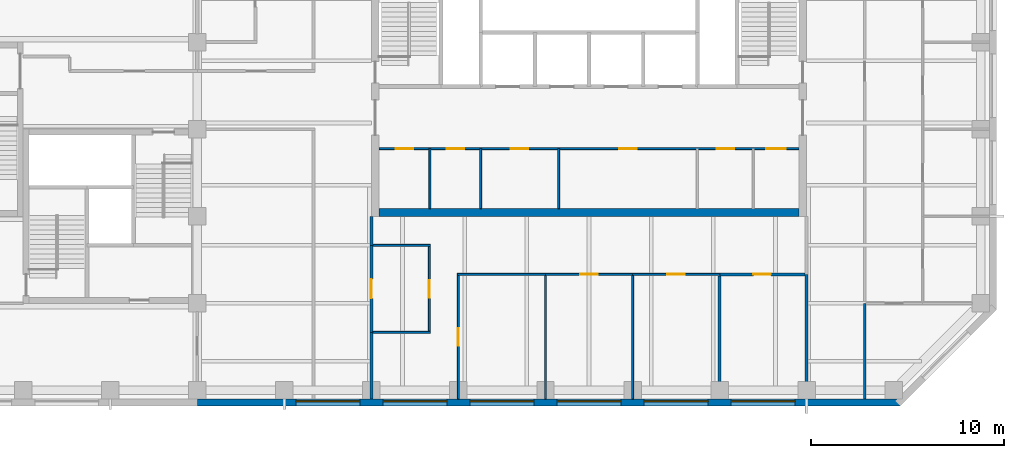
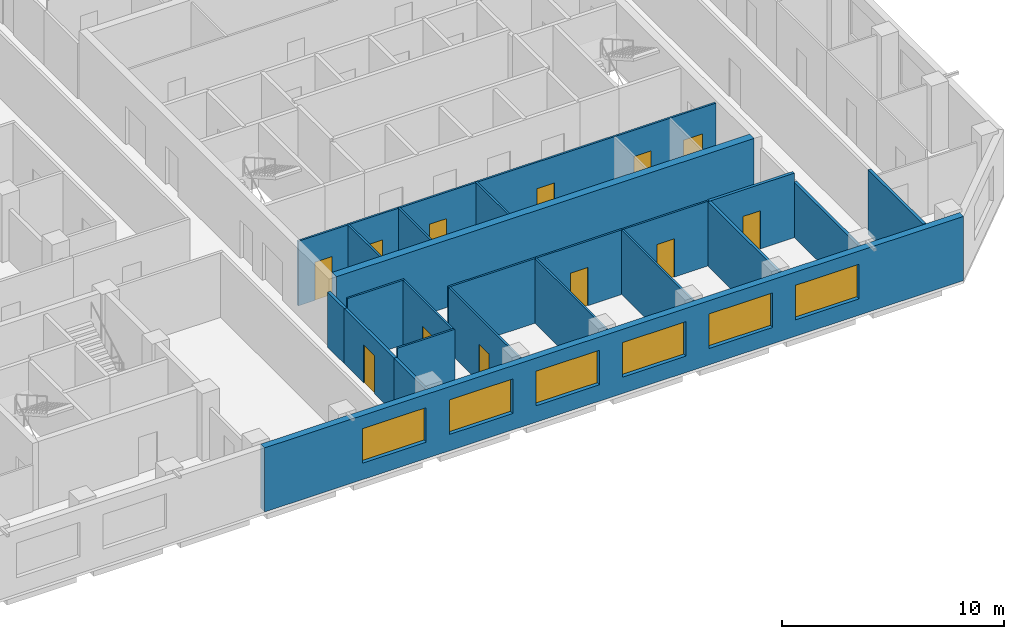
# One storey, part 4 of 9: 22 walls, 12 doors, 6 windows, 18 openings.
"""IFC4 building model written with IfcOpenShell, lengths in metres."""

from ifc_helpers import new_model, si_unit, direction, frame, frame_2d, origin, place, context, subcontext, project, spatial, rectangle, extrude, material, layer, layer_set, constituent, constituent_set, type_object, element, fill, save


model = new_model("IFC4")

# Units and contexts
model_context = context("Model", 3, precision=1e-05, world=origin(), true_north=direction((0.0, 1.0)))
body_context = subcontext(model_context, "Body", "Model", "MODEL_VIEW")
ifc_project = project(units=[si_unit("LENGTHUNIT", "METRE"), si_unit("AREAUNIT", "SQUARE_METRE"), si_unit("VOLUMEUNIT", "CUBIC_METRE"), si_unit("PLANEANGLEUNIT", "RADIAN"), si_unit("MASSUNIT", "GRAM", prefix="KILO")], contexts=[model_context])

# Site, building, storey
site_placement = place(None, origin())
site = spatial("IfcSite", under=ifc_project, at=site_placement, CompositionType="ELEMENT")
building_placement = place(site_placement, origin())
building = spatial("IfcBuilding", under=site, at=building_placement, Name="Quoin Convention Tower", CompositionType="ELEMENT")
storey_placement = place(building_placement, frame((0.0, 0.0, 199.5)))
storey = spatial("IfcBuildingStorey", under=building, at=storey_placement, Name="L52", CompositionType="ELEMENT", Elevation=199.5)

# Wall, opening, door
ifc_material_1 = material(Name="Plasterboard")
ifc_layer_1 = layer(ifc_material_1, 0.012451171875, Name="Finish")
ifc_material_2 = material(Name="Steel stud framing", Category="steel")
ifc_layer_2 = layer(ifc_material_2, 0.125, Name="Structure")
ifc_layer_3 = layer(ifc_material_1, 0.012451171875, Name="Finish")
ifc_layer_set_1 = layer_set([ifc_layer_1, ifc_layer_2, ifc_layer_3], Name="Steel stud framing")
wall_type_1 = type_object("IfcWallType", Name="Acoustic partition 150", PredefinedType="PARTITIONING", material=ifc_layer_set_1)
wall_1_placement = place(storey_placement, frame((63.0, 46.5, 0.0), z_axis=(0.0, 0.0, 1.0), x_axis=(1.0, 0.0, 0.0)))
wall_1 = element("IfcWall", 1, at=wall_1_placement, inside=storey, type_object=wall_type_1, Name="pw-L52-011", PredefinedType="PARTITIONING", context=body_context, shape_type="SweptSolid", body=[
    extrude(rectangle(XDim=4.425048828125, YDim=0.14990234375, at=frame_2d((2.21240234375, 0.0))), origin(), (0.0, 0.0, 1.0), 3.550048828125),
])
opening_1_placement = place(wall_1_placement, frame((1.75, 0.0, 0.0)))
opening_1 = element("IfcOpeningElement", 2, at=opening_1_placement, cuts=wall_1, Name="Opening DOH8-04", PredefinedType="OPENING", context=body_context, shape_type="SweptSolid", body=[
    extrude(rectangle(XDim=0.89990234375, YDim=2.10009765625, at=frame_2d((0.449951171875, 1.050048828125))), frame((0.0, 0.0849609375, 0.0), z_axis=(0.0, -1.0, 0.0), x_axis=(1.0, 0.0, 0.0)), (0.0, 0.0, 1.0), 0.169921875),
])
ifc_material_3 = material(Name="Steel door leaf", Category="steel")
door_type_1 = type_object("IfcDoorType", Name="Office door 900 x 2100", OperationType="SINGLE_SWING_RIGHT", PredefinedType="DOOR", material=ifc_material_3)
door_1_placement = place(opening_1_placement, origin())
door_1 = element("IfcDoor", 3, at=door_1_placement, inside=storey, type_object=door_type_1, Name="dr-L52-23", OperationType="SINGLE_SWING_RIGHT", OverallHeight=2.10009765625, OverallWidth=0.89990234375, PredefinedType="DOOR", context=body_context, shape_type="SweptSolid", body=[
    extrude(rectangle(XDim=0.89990234375, YDim=2.10009765625, at=frame_2d((0.449951171875, 1.050048828125))), frame((0.0, 0.02490234375, 0.0), z_axis=(0.0, -1.0, 0.0), x_axis=(1.0, 0.0, 0.0)), (0.0, 0.0, 1.0), 0.050048828125),
])
fill(opening_1, door_1)

# Wall
wall_2_placement = place(storey_placement, frame((63.0, 40.050048828125, 0.0), z_axis=(0.0, 0.0, 1.0), x_axis=(0.0, 1.0, 0.0)))
element("IfcWall", 4, at=wall_2_placement, inside=storey, type_object=wall_type_1, Name="pw-L52-043", PredefinedType="PARTITIONING", context=body_context, shape_type="SweptSolid", body=[
    extrude(rectangle(XDim=6.375, YDim=0.14990234375, at=frame_2d((3.1875, 0.0))), origin(), (0.0, 0.0, 1.0), 3.550048828125),
])

# Wall, openings, windows
ifc_material_4 = material(Name="Brick masonry", Category="masonry")
ifc_layer_4 = layer(ifc_material_4, 0.35009765625)
ifc_layer_set_2 = layer_set([ifc_layer_4], Name="Brick masonry")
wall_type_2 = type_object("IfcWallType", Name="Brick facade wall", PredefinedType="STANDARD", material=ifc_layer_set_2)
wall_3_placement = place(storey_placement, frame((36.0, 39.875, 0.0), z_axis=(0.0, 0.0, 1.0), x_axis=(1.0, 0.0, 0.0)))
wall_3 = element("IfcWall", 5, at=wall_3_placement, inside=storey, type_object=wall_type_2, Name="fw-L52-36000_40500", PredefinedType="STANDARD", context=body_context, shape_type="SweptSolid", body=[
    extrude(rectangle(XDim=36.331298828125, YDim=0.35009765625, at=frame_2d((18.16552734375, 0.0))), origin(), (0.0, 0.0, 1.0), 3.52490234375),
])
opening_2_placement = place(wall_3_placement, frame((5.10009765625, 0.0, 0.89990234375)))
opening_2 = element("IfcOpeningElement", 6, at=opening_2_placement, cuts=wall_3, Name="Opening W-02", PredefinedType="OPENING", context=body_context, shape_type="SweptSolid", body=[
    extrude(rectangle(XDim=3.300048828125, YDim=1.89990234375, at=frame_2d((1.64990234375, 0.949951171875))), frame((0.0, 0.18505859375, 0.0), z_axis=(0.0, -1.0, 0.0), x_axis=(1.0, 0.0, 0.0)), (0.0, 0.0, 1.0), 0.3701171875),
])
opening_3_placement = place(wall_3_placement, frame((9.60009765625, 0.0, 0.89990234375)))
opening_3 = element("IfcOpeningElement", 7, at=opening_3_placement, cuts=wall_3, Name="Opening W-02", PredefinedType="OPENING", context=body_context, shape_type="SweptSolid", body=[
    extrude(rectangle(XDim=3.300048828125, YDim=1.89990234375, at=frame_2d((1.64990234375, 0.949951171875))), frame((0.0, 0.18505859375, 0.0), z_axis=(0.0, -1.0, 0.0), x_axis=(1.0, 0.0, 0.0)), (0.0, 0.0, 1.0), 0.3701171875),
])
opening_4_placement = place(wall_3_placement, frame((14.10009765625, 0.0, 0.89990234375)))
opening_4 = element("IfcOpeningElement", 8, at=opening_4_placement, cuts=wall_3, Name="Opening W-02", PredefinedType="OPENING", context=body_context, shape_type="SweptSolid", body=[
    extrude(rectangle(XDim=3.300048828125, YDim=1.89990234375, at=frame_2d((1.64990234375, 0.949951171875))), frame((0.0, 0.18505859375, 0.0), z_axis=(0.0, -1.0, 0.0), x_axis=(1.0, 0.0, 0.0)), (0.0, 0.0, 1.0), 0.3701171875),
])
opening_5_placement = place(wall_3_placement, frame((18.60009765625, 0.0, 0.89990234375)))
opening_5 = element("IfcOpeningElement", 9, at=opening_5_placement, cuts=wall_3, Name="Opening W-02", PredefinedType="OPENING", context=body_context, shape_type="SweptSolid", body=[
    extrude(rectangle(XDim=3.300048828125, YDim=1.89990234375, at=frame_2d((1.64990234375, 0.949951171875))), frame((0.0, 0.18505859375, 0.0), z_axis=(0.0, -1.0, 0.0), x_axis=(1.0, 0.0, 0.0)), (0.0, 0.0, 1.0), 0.3701171875),
])
opening_6_placement = place(wall_3_placement, frame((23.10009765625, 0.0, 0.89990234375)))
opening_6 = element("IfcOpeningElement", 10, at=opening_6_placement, cuts=wall_3, Name="Opening W-02", PredefinedType="OPENING", context=body_context, shape_type="SweptSolid", body=[
    extrude(rectangle(XDim=3.300048828125, YDim=1.89990234375, at=frame_2d((1.64990234375, 0.949951171875))), frame((0.0, 0.18505859375, 0.0), z_axis=(0.0, -1.0, 0.0), x_axis=(1.0, 0.0, 0.0)), (0.0, 0.0, 1.0), 0.3701171875),
])
opening_7_placement = place(wall_3_placement, frame((27.60009765625, 0.0, 0.89990234375)))
opening_7 = element("IfcOpeningElement", 11, at=opening_7_placement, cuts=wall_3, Name="Opening W-02", PredefinedType="OPENING", context=body_context, shape_type="SweptSolid", body=[
    extrude(rectangle(XDim=3.300048828125, YDim=1.89990234375, at=frame_2d((1.64990234375, 0.949951171875))), frame((0.0, 0.18505859375, 0.0), z_axis=(0.0, -1.0, 0.0), x_axis=(1.0, 0.0, 0.0)), (0.0, 0.0, 1.0), 0.3701171875),
])
ifc_material_5 = material(Name="Aluminium", Category="aluminium")
ifc_constituent_1 = constituent(ifc_material_5, Name="Frame")
ifc_material_6 = material(Name="Insulated glass", Category="glass")
ifc_constituent_2 = constituent(ifc_material_6, Name="Glazing")
ifc_constituent_set = constituent_set(constituents=[ifc_constituent_1, ifc_constituent_2], Name="Aluminium")
window_type = type_object("IfcWindowType", Name="Office window", PartitioningType="DOUBLE_PANEL_VERTICAL", PredefinedType="WINDOW", material=ifc_constituent_set)
window_1_placement = place(opening_2_placement, origin())
window_1 = element("IfcWindow", 12, at=window_1_placement, inside=storey, type_object=window_type, Name="win-L52-42750_39875", OverallHeight=1.89990234375, OverallWidth=3.300048828125, PartitioningType="SINGLE_PANEL", PredefinedType="WINDOW", context=body_context, shape_type="SweptSolid", body=[
    extrude(rectangle(XDim=3.300048828125, YDim=1.89990234375, at=frame_2d((1.64990234375, 0.949951171875))), frame((0.0, 0.0849609375, 0.0), z_axis=(0.0, -1.0, 0.0), x_axis=(1.0, 0.0, 0.0)), (0.0, 0.0, 1.0), 0.06005859375),
])
fill(opening_2, window_1)
window_2_placement = place(opening_3_placement, origin())
window_2 = element("IfcWindow", 13, at=window_2_placement, inside=storey, type_object=window_type, Name="win-L52-47250_39875", OverallHeight=1.89990234375, OverallWidth=3.300048828125, PartitioningType="SINGLE_PANEL", PredefinedType="WINDOW", context=body_context, shape_type="SweptSolid", body=[
    extrude(rectangle(XDim=3.300048828125, YDim=1.89990234375, at=frame_2d((1.64990234375, 0.949951171875))), frame((0.0, 0.0849609375, 0.0), z_axis=(0.0, -1.0, 0.0), x_axis=(1.0, 0.0, 0.0)), (0.0, 0.0, 1.0), 0.06005859375),
])
fill(opening_3, window_2)
window_3_placement = place(opening_4_placement, origin())
window_3 = element("IfcWindow", 14, at=window_3_placement, inside=storey, type_object=window_type, Name="win-L52-51750_39875", OverallHeight=1.89990234375, OverallWidth=3.300048828125, PartitioningType="SINGLE_PANEL", PredefinedType="WINDOW", context=body_context, shape_type="SweptSolid", body=[
    extrude(rectangle(XDim=3.300048828125, YDim=1.89990234375, at=frame_2d((1.64990234375, 0.949951171875))), frame((0.0, 0.0849609375, 0.0), z_axis=(0.0, -1.0, 0.0), x_axis=(1.0, 0.0, 0.0)), (0.0, 0.0, 1.0), 0.06005859375),
])
fill(opening_4, window_3)
window_4_placement = place(opening_5_placement, origin())
window_4 = element("IfcWindow", 15, at=window_4_placement, inside=storey, type_object=window_type, Name="win-L52-56250_39875", OverallHeight=1.89990234375, OverallWidth=3.300048828125, PartitioningType="SINGLE_PANEL", PredefinedType="WINDOW", context=body_context, shape_type="SweptSolid", body=[
    extrude(rectangle(XDim=3.300048828125, YDim=1.89990234375, at=frame_2d((1.64990234375, 0.949951171875))), frame((0.0, 0.0849609375, 0.0), z_axis=(0.0, -1.0, 0.0), x_axis=(1.0, 0.0, 0.0)), (0.0, 0.0, 1.0), 0.06005859375),
])
fill(opening_5, window_4)
window_5_placement = place(opening_6_placement, origin())
window_5 = element("IfcWindow", 16, at=window_5_placement, inside=storey, type_object=window_type, Name="win-L52-60750_39875", OverallHeight=1.89990234375, OverallWidth=3.300048828125, PartitioningType="SINGLE_PANEL", PredefinedType="WINDOW", context=body_context, shape_type="SweptSolid", body=[
    extrude(rectangle(XDim=3.300048828125, YDim=1.89990234375, at=frame_2d((1.64990234375, 0.949951171875))), frame((0.0, 0.0849609375, 0.0), z_axis=(0.0, -1.0, 0.0), x_axis=(1.0, 0.0, 0.0)), (0.0, 0.0, 1.0), 0.06005859375),
])
fill(opening_6, window_5)
window_6_placement = place(opening_7_placement, origin())
window_6 = element("IfcWindow", 17, at=window_6_placement, inside=storey, type_object=window_type, Name="win-L52-65250_39875", OverallHeight=1.89990234375, OverallWidth=3.300048828125, PartitioningType="SINGLE_PANEL", PredefinedType="WINDOW", context=body_context, shape_type="SweptSolid", body=[
    extrude(rectangle(XDim=3.300048828125, YDim=1.89990234375, at=frame_2d((1.64990234375, 0.949951171875))), frame((0.0, 0.0849609375, 0.0), z_axis=(0.0, -1.0, 0.0), x_axis=(1.0, 0.0, 0.0)), (0.0, 0.0, 1.0), 0.06005859375),
])
fill(opening_7, window_6)

# Wall, openings, doors
ifc_layer_5 = layer(ifc_material_1, 0.012451171875, Name="Finish")
ifc_layer_6 = layer(ifc_material_2, 0.074951171875, Name="Structure")
ifc_layer_7 = layer(ifc_material_1, 0.012451171875, Name="Finish")
ifc_layer_set_3 = layer_set([ifc_layer_5, ifc_layer_6, ifc_layer_7], Name="Steel stud framing")
wall_type_3 = type_object("IfcWallType", Name="Core partition wall", PredefinedType="PARTITIONING", material=ifc_layer_set_3)
wall_4_placement = place(storey_placement, frame((45.39990234375, 53.0, 0.0), z_axis=(0.0, 0.0, 1.0), x_axis=(1.0, 0.0, 0.0)))
wall_4 = element("IfcWall", 18, at=wall_4_placement, inside=storey, type_object=wall_type_3, Name="cr-C1-L52-h3500_400", PredefinedType="PARTITIONING", context=body_context, shape_type="SweptSolid", body=[
    extrude(rectangle(XDim=21.7001953125, YDim=0.10009765625, at=frame_2d((10.85009765625, 0.0))), origin(), (0.0, 0.0, 1.0), 3.550048828125),
])
opening_8_placement = place(wall_4_placement, frame((20.018798828125, 0.0, 0.0)))
opening_8 = element("IfcOpeningElement", 19, at=opening_8_placement, cuts=wall_4, Name="Opening DCV0-46", PredefinedType="OPENING", context=body_context, shape_type="SweptSolid", body=[
    extrude(rectangle(XDim=1.0, YDim=2.10009765625, at=frame_2d((0.5, 1.050048828125))), frame((0.0, 0.06005859375, 0.0), z_axis=(0.0, -1.0, 0.0), x_axis=(1.0, 0.0, 0.0)), (0.0, 0.0, 1.0), 0.1201171875),
])
opening_9_placement = place(wall_4_placement, frame((17.44384765625, 0.0, 0.0)))
opening_9 = element("IfcOpeningElement", 20, at=opening_9_placement, cuts=wall_4, Name="Opening DCV0-45", PredefinedType="OPENING", context=body_context, shape_type="SweptSolid", body=[
    extrude(rectangle(XDim=0.89990234375, YDim=2.10009765625, at=frame_2d((0.449951171875, 1.050048828125))), frame((0.0, 0.06005859375, 0.0), z_axis=(0.0, -1.0, 0.0), x_axis=(1.0, 0.0, 0.0)), (0.0, 0.0, 1.0), 0.1201171875),
])
opening_10_placement = place(wall_4_placement, frame((0.862548828125, 0.0, 0.0)))
opening_10 = element("IfcOpeningElement", 21, at=opening_10_placement, cuts=wall_4, Name="Opening DCV0-38", PredefinedType="OPENING", context=body_context, shape_type="SweptSolid", body=[
    extrude(rectangle(XDim=0.89990234375, YDim=2.10009765625, at=frame_2d((0.449951171875, 1.050048828125))), frame((0.0, 0.06005859375, 0.0), z_axis=(0.0, -1.0, 0.0), x_axis=(1.0, 0.0, 0.0)), (0.0, 0.0, 1.0), 0.1201171875),
])
opening_11_placement = place(wall_4_placement, frame((3.487548828125, 0.0, 0.0)))
opening_11 = element("IfcOpeningElement", 22, at=opening_11_placement, cuts=wall_4, Name="Opening DCV0-39", PredefinedType="OPENING", context=body_context, shape_type="SweptSolid", body=[
    extrude(rectangle(XDim=0.89990234375, YDim=2.10009765625, at=frame_2d((0.449951171875, 1.050048828125))), frame((0.0, 0.06005859375, 0.0), z_axis=(0.0, -1.0, 0.0), x_axis=(1.0, 0.0, 0.0)), (0.0, 0.0, 1.0), 0.1201171875),
])
opening_12_placement = place(wall_4_placement, frame((6.81591796875, 0.0, 0.0)))
opening_12 = element("IfcOpeningElement", 23, at=opening_12_placement, cuts=wall_4, Name="Opening DCV0-41", PredefinedType="OPENING", context=body_context, shape_type="SweptSolid", body=[
    extrude(rectangle(XDim=0.89990234375, YDim=2.10009765625, at=frame_2d((0.449951171875, 1.050048828125))), frame((0.0, 0.06005859375, 0.0), z_axis=(0.0, -1.0, 0.0), x_axis=(1.0, 0.0, 0.0)), (0.0, 0.0, 1.0), 0.1201171875),
])
opening_13_placement = place(wall_4_placement, frame((12.416015625, 0.0, 0.0)))
opening_13 = element("IfcOpeningElement", 24, at=opening_13_placement, cuts=wall_4, Name="Opening DCV0-43", PredefinedType="OPENING", context=body_context, shape_type="SweptSolid", body=[
    extrude(rectangle(XDim=0.89990234375, YDim=2.10009765625, at=frame_2d((0.449951171875, 1.050048828125))), frame((0.0, 0.06005859375, 0.0), z_axis=(0.0, -1.0, 0.0), x_axis=(1.0, 0.0, 0.0)), (0.0, 0.0, 1.0), 0.1201171875),
])
door_type_2 = type_object("IfcDoorType", Name="Core room door 1000 x 2100", OperationType="SINGLE_SWING_LEFT", PredefinedType="DOOR", material=ifc_material_3)
door_2_placement = place(opening_8_placement, frame((1.0, 0.0, 0.0), z_axis=(0.0, 0.0, 1.0), x_axis=(-1.0, 0.0, 0.0)))
door_2 = element("IfcDoor", 25, at=door_2_placement, inside=storey, type_object=door_type_2, Name="cd-C1-L52-CSE0-lobA-CD5210", OperationType="SINGLE_SWING_LEFT", OverallHeight=2.10009765625, OverallWidth=1.0, PredefinedType="DOOR", context=body_context, shape_type="SweptSolid", body=[
    extrude(rectangle(XDim=1.0, YDim=2.10009765625, at=frame_2d((0.5, 1.050048828125))), frame((0.0, 0.02490234375, 0.0), z_axis=(0.0, -1.0, 0.0), x_axis=(1.0, 0.0, 0.0)), (0.0, 0.0, 1.0), 0.050048828125),
])
fill(opening_8, door_2)
door_type_3 = type_object("IfcDoorType", Name="Core room door 900 x 2100", OperationType="SINGLE_SWING_LEFT", PredefinedType="DOOR", material=ifc_material_3)
door_3_placement = place(opening_9_placement, frame((0.89990234375, 0.0, 0.0), z_axis=(0.0, 0.0, 1.0), x_axis=(-1.0, 0.0, 0.0)))
door_3 = element("IfcDoor", 26, at=door_3_placement, inside=storey, type_object=door_type_3, Name="cd-C1-L52-CSE1-lobA-CD5211", OperationType="SINGLE_SWING_LEFT", OverallHeight=2.10009765625, OverallWidth=0.89990234375, PredefinedType="DOOR", context=body_context, shape_type="SweptSolid", body=[
    extrude(rectangle(XDim=0.89990234375, YDim=2.10009765625, at=frame_2d((0.449951171875, 1.050048828125))), frame((0.0, 0.02490234375, 0.0), z_axis=(0.0, -1.0, 0.0), x_axis=(1.0, 0.0, 0.0)), (0.0, 0.0, 1.0), 0.050048828125),
])
fill(opening_9, door_3)
door_4_placement = place(opening_10_placement, frame((0.89990234375, 0.0, 0.0), z_axis=(0.0, 0.0, 1.0), x_axis=(-1.0, 0.0, 0.0)))
door_4 = element("IfcDoor", 27, at=door_4_placement, inside=storey, type_object=door_type_3, Name="cd-C1-L52-CSW0-lobA-CD5212", OperationType="SINGLE_SWING_LEFT", OverallHeight=2.10009765625, OverallWidth=0.89990234375, PredefinedType="DOOR", context=body_context, shape_type="SweptSolid", body=[
    extrude(rectangle(XDim=0.89990234375, YDim=2.10009765625, at=frame_2d((0.449951171875, 1.050048828125))), frame((0.0, 0.02490234375, 0.0), z_axis=(0.0, -1.0, 0.0), x_axis=(1.0, 0.0, 0.0)), (0.0, 0.0, 1.0), 0.050048828125),
])
fill(opening_10, door_4)
door_5_placement = place(opening_11_placement, frame((0.89990234375, 0.0, 0.0), z_axis=(0.0, 0.0, 1.0), x_axis=(-1.0, 0.0, 0.0)))
door_5 = element("IfcDoor", 28, at=door_5_placement, inside=storey, type_object=door_type_3, Name="cd-C1-L52-CSW1-lobA-CD5213", OperationType="SINGLE_SWING_LEFT", OverallHeight=2.10009765625, OverallWidth=0.89990234375, PredefinedType="DOOR", context=body_context, shape_type="SweptSolid", body=[
    extrude(rectangle(XDim=0.89990234375, YDim=2.10009765625, at=frame_2d((0.449951171875, 1.050048828125))), frame((0.0, 0.02490234375, 0.0), z_axis=(0.0, -1.0, 0.0), x_axis=(1.0, 0.0, 0.0)), (0.0, 0.0, 1.0), 0.050048828125),
])
fill(opening_11, door_5)
door_6_placement = place(opening_12_placement, frame((0.89990234375, 0.0, 0.0), z_axis=(0.0, 0.0, 1.0), x_axis=(-1.0, 0.0, 0.0)))
door_6 = element("IfcDoor", 29, at=door_6_placement, inside=storey, type_object=door_type_3, Name="cd-C1-L52-F10-lobA-CD5214", OperationType="SINGLE_SWING_LEFT", OverallHeight=2.10009765625, OverallWidth=0.89990234375, PredefinedType="DOOR", context=body_context, shape_type="SweptSolid", body=[
    extrude(rectangle(XDim=0.89990234375, YDim=2.10009765625, at=frame_2d((0.449951171875, 1.050048828125))), frame((0.0, 0.02490234375, 0.0), z_axis=(0.0, -1.0, 0.0), x_axis=(1.0, 0.0, 0.0)), (0.0, 0.0, 1.0), 0.050048828125),
])
fill(opening_12, door_6)
door_7_placement = place(opening_13_placement, frame((0.89990234375, 0.0, 0.0), z_axis=(0.0, 0.0, 1.0), x_axis=(-1.0, 0.0, 0.0)))
door_7 = element("IfcDoor", 30, at=door_7_placement, inside=storey, type_object=door_type_3, Name="cd-C1-L52-F11-lobA-CD5215", OperationType="SINGLE_SWING_LEFT", OverallHeight=2.10009765625, OverallWidth=0.89990234375, PredefinedType="DOOR", context=body_context, shape_type="SweptSolid", body=[
    extrude(rectangle(XDim=0.89990234375, YDim=2.10009765625, at=frame_2d((0.449951171875, 1.050048828125))), frame((0.0, 0.02490234375, 0.0), z_axis=(0.0, -1.0, 0.0), x_axis=(1.0, 0.0, 0.0)), (0.0, 0.0, 1.0), 0.050048828125),
])
fill(opening_13, door_7)

# Walls
for number, where, z_axis, x_axis, name in (
    (31, (48.02490234375, 49.89990234375, 0.0), (0.0, 0.0, 1.0), (0.0, 1.0, 0.0), "cr-C1-L52-v3025_400"),
    (32, (50.64990234375, 49.89990234375, 0.0), (0.0, 0.0, 1.0), (0.0, 1.0, 0.0), "cr-C1-L52-v5650_400"),
    (33, (54.681884765625, 49.89990234375, 0.0), (0.0, 0.0, 1.0), (0.0, 1.0, 0.0), "cr-C1-L52-v9682_400"),
):
    element("IfcWall", number, at=place(storey_placement, frame(where, z_axis=z_axis, x_axis=x_axis)), inside=storey, type_object=wall_type_3, Name=name, PredefinedType="PARTITIONING", context=body_context, shape_type="SweptSolid", body=[
        extrude(rectangle(XDim=3.10009765625, YDim=0.10009765625, at=frame_2d((1.550048828125, 0.0))), origin(), (0.0, 0.0, 1.0), 3.550048828125),
    ])
ifc_layer_8 = layer(ifc_material_1, 0.012451171875, Name="Finish")
ifc_layer_9 = layer(ifc_material_2, 0.125, Name="Structure")
ifc_layer_10 = layer(ifc_material_1, 0.012451171875, Name="Finish")
ifc_layer_set_4 = layer_set([ifc_layer_8, ifc_layer_9, ifc_layer_10], Name="Steel stud framing")
wall_type_4 = type_object("IfcWallType", Name="Corridor wall 150", PredefinedType="PARTITIONING", material=ifc_layer_set_4)
wall_5_placement = place(storey_placement, frame((70.5, 40.050048828125, 0.0), z_axis=(0.0, 0.0, 1.0), x_axis=(0.0, 1.0, 0.0)))
element("IfcWall", 34, at=wall_5_placement, inside=storey, type_object=wall_type_4, Name="pw-L52-045", PredefinedType="PARTITIONING", context=body_context, shape_type="SweptSolid", body=[
    extrude(rectangle(XDim=4.949951171875, YDim=0.14990234375, at=frame_2d((2.47509765625, 0.0))), origin(), (0.0, 0.0, 1.0), 3.550048828125),
])
ifc_layer_11 = layer(ifc_material_1, 0.012451171875, Name="Finish")
ifc_layer_12 = layer(ifc_material_2, 0.125, Name="Structure")
ifc_layer_13 = layer(ifc_material_1, 0.012451171875, Name="Finish")
ifc_layer_set_5 = layer_set([ifc_layer_11, ifc_layer_12, ifc_layer_13], Name="Steel stud framing")
wall_type_5 = type_object("IfcWallType", Name="Corridor wall 150 under beam 528", PredefinedType="PARTITIONING", material=ifc_layer_set_5)
wall_6_placement = place(storey_placement, frame((45.0, 40.050048828125, 0.0), z_axis=(0.0, 0.0, 1.0), x_axis=(0.0, 1.0, 0.0)))
element("IfcWall", 35, at=wall_6_placement, inside=storey, type_object=wall_type_5, Name="pw-L52-039", PredefinedType="PARTITIONING", context=body_context, shape_type="SweptSolid", body=[
    extrude(rectangle(XDim=3.449951171875, YDim=0.14990234375, at=frame_2d((1.72509765625, 0.0))), origin(), (0.0, 0.0, 1.0), 3.02197265625),
])
wall_7_placement = place(storey_placement, frame((67.5, 40.050048828125, 0.0), z_axis=(0.0, 0.0, 1.0), x_axis=(0.0, 1.0, 0.0)))
element("IfcWall", 36, at=wall_7_placement, inside=storey, type_object=wall_type_5, Name="pw-L52-044", PredefinedType="PARTITIONING", context=body_context, shape_type="SweptSolid", body=[
    extrude(rectangle(XDim=6.449951171875, YDim=0.14990234375, at=frame_2d((3.22509765625, 0.0))), origin(), (0.0, 0.0, 1.0), 3.02197265625),
])

# Wall, opening, door
wall_8_placement = place(storey_placement, frame((45.0, 43.5, 0.0), z_axis=(0.0, 0.0, 1.0), x_axis=(0.0, 1.0, 0.0)))
wall_8 = element("IfcWall", 37, at=wall_8_placement, inside=storey, type_object=wall_type_5, Name="pw-L52-048", PredefinedType="PARTITIONING", context=body_context, shape_type="SweptSolid", body=[
    extrude(rectangle(XDim=4.5, YDim=0.14990234375, at=frame_2d((2.25, 0.0))), origin(), (0.0, 0.0, 1.0), 3.02197265625),
])
opening_14_placement = place(wall_8_placement, frame((1.75, 0.0, 0.0)))
opening_14 = element("IfcOpeningElement", 38, at=opening_14_placement, cuts=wall_8, Name="Opening DOH8-13", PredefinedType="OPENING", context=body_context, shape_type="SweptSolid", body=[
    extrude(rectangle(XDim=1.0, YDim=2.10009765625, at=frame_2d((0.5, 1.050048828125))), frame((0.0, 0.0849609375, 0.0), z_axis=(0.0, -1.0, 0.0), x_axis=(1.0, 0.0, 0.0)), (0.0, 0.0, 1.0), 0.169921875),
])
door_type_4 = type_object("IfcDoorType", Name="Tenancy entrance door 1000 x 2100", OperationType="DOUBLE_DOOR_SINGLE_SWING", PredefinedType="DOOR", material=ifc_material_3)
door_8_placement = place(opening_14_placement, origin())
door_8 = element("IfcDoor", 39, at=door_8_placement, inside=storey, type_object=door_type_4, Name="dr-L52-18", OperationType="DOUBLE_DOOR_SINGLE_SWING", OverallHeight=2.10009765625, OverallWidth=1.0, PredefinedType="DOOR", context=body_context, shape_type="SweptSolid", body=[
    extrude(rectangle(XDim=1.0, YDim=2.10009765625, at=frame_2d((0.5, 1.050048828125))), frame((0.0, 0.02490234375, 0.0), z_axis=(0.0, -1.0, 0.0), x_axis=(1.0, 0.0, 0.0)), (0.0, 0.0, 1.0), 0.050048828125),
])
fill(opening_14, door_8)

# Walls
wall_9_placement = place(storey_placement, frame((45.0, 48.0, 0.0), z_axis=(0.0, 0.0, 1.0), x_axis=(0.0, 1.0, 0.0)))
element("IfcWall", 40, at=wall_9_placement, inside=storey, type_object=wall_type_5, Name="pw-L52-057", PredefinedType="PARTITIONING", context=body_context, shape_type="SweptSolid", body=[
    extrude(rectangle(XDim=1.5, YDim=0.14990234375, at=frame_2d((0.75, 0.0))), origin(), (0.0, 0.0, 1.0), 3.02197265625),
])
ifc_material_7 = material(Name="Concrete C50", Category="concrete")
ifc_layer_14 = layer(ifc_material_7, 0.39990234375)
ifc_layer_set_6 = layer_set([ifc_layer_14], Name="Concrete C50")
wall_type_6 = type_object("IfcWallType", Name="RC CORE WALL 400 C50", PredefinedType="SHEAR", material=ifc_layer_set_6)
wall_10_placement = place(storey_placement, frame((45.39990234375, 49.699951171875, 0.0), z_axis=(0.0, 0.0, 1.0), x_axis=(1.0, 0.0, 0.0)))
element("IfcWall", 41, at=wall_10_placement, inside=storey, type_object=wall_type_6, Name="cwl-C1-L52-S", PredefinedType="SHEAR", context=body_context, shape_type="SweptSolid", body=[
    extrude(rectangle(XDim=21.7001953125, YDim=0.39990234375, at=frame_2d((10.85009765625, 0.0))), origin(), (0.0, 0.0, 1.0), 3.699951171875),
])
ifc_layer_15 = layer(ifc_material_1, 0.012451171875, Name="Finish")
ifc_layer_16 = layer(ifc_material_2, 0.074951171875, Name="Structure")
ifc_layer_17 = layer(ifc_material_1, 0.012451171875, Name="Finish")
ifc_layer_set_7 = layer_set([ifc_layer_15, ifc_layer_16, ifc_layer_17], Name="Steel stud framing")
wall_type_7 = type_object("IfcWallType", Name="Stud partition 100", PredefinedType="PARTITIONING", material=ifc_layer_set_7)
wall_11_placement = place(storey_placement, frame((45.074951171875, 43.5, 0.0), z_axis=(0.0, 0.0, 1.0), x_axis=(1.0, 0.0, 0.0)))
element("IfcWall", 42, at=wall_11_placement, inside=storey, type_object=wall_type_7, Name="pw-L52-002", PredefinedType="PARTITIONING", context=body_context, shape_type="SweptSolid", body=[
    extrude(rectangle(XDim=2.97509765625, YDim=0.10009765625, at=frame_2d((1.487548828125, 0.0))), origin(), (0.0, 0.0, 1.0), 3.550048828125),
])
wall_12_placement = place(storey_placement, frame((49.449951171875, 46.5, 0.0), z_axis=(0.0, 0.0, 1.0), x_axis=(1.0, 0.0, 0.0)))
element("IfcWall", 43, at=wall_12_placement, inside=storey, type_object=wall_type_7, Name="pw-L52-008", PredefinedType="PARTITIONING", context=body_context, shape_type="SweptSolid", body=[
    extrude(rectangle(XDim=4.550048828125, YDim=0.10009765625, at=frame_2d((2.27490234375, 0.0))), origin(), (0.0, 0.0, 1.0), 3.550048828125),
])

# Wall, opening, door
wall_13_placement = place(storey_placement, frame((54.0, 46.5, 0.0), z_axis=(0.0, 0.0, 1.0), x_axis=(1.0, 0.0, 0.0)))
wall_13 = element("IfcWall", 44, at=wall_13_placement, inside=storey, type_object=wall_type_7, Name="pw-L52-009", PredefinedType="PARTITIONING", context=body_context, shape_type="SweptSolid", body=[
    extrude(rectangle(XDim=4.5, YDim=0.10009765625, at=frame_2d((2.25, 0.0))), origin(), (0.0, 0.0, 1.0), 3.550048828125),
])
opening_15_placement = place(wall_13_placement, frame((1.800048828125, 0.0, 0.0)))
opening_15 = element("IfcOpeningElement", 45, at=opening_15_placement, cuts=wall_13, Name="Opening DOH8-02", PredefinedType="OPENING", context=body_context, shape_type="SweptSolid", body=[
    extrude(rectangle(XDim=0.89990234375, YDim=2.10009765625, at=frame_2d((0.449951171875, 1.050048828125))), frame((0.0, 0.06005859375, 0.0), z_axis=(0.0, -1.0, 0.0), x_axis=(1.0, 0.0, 0.0)), (0.0, 0.0, 1.0), 0.1201171875),
])
door_9_placement = place(opening_15_placement, origin())
door_9 = element("IfcDoor", 46, at=door_9_placement, inside=storey, type_object=door_type_1, Name="dr-L52-21", OperationType="SINGLE_SWING_RIGHT", OverallHeight=2.10009765625, OverallWidth=0.89990234375, PredefinedType="DOOR", context=body_context, shape_type="SweptSolid", body=[
    extrude(rectangle(XDim=0.89990234375, YDim=2.10009765625, at=frame_2d((0.449951171875, 1.050048828125))), frame((0.0, 0.02490234375, 0.0), z_axis=(0.0, -1.0, 0.0), x_axis=(1.0, 0.0, 0.0)), (0.0, 0.0, 1.0), 0.050048828125),
])
fill(opening_15, door_9)

wall_14_placement = place(storey_placement, frame((58.5, 46.5, 0.0), z_axis=(0.0, 0.0, 1.0), x_axis=(1.0, 0.0, 0.0)))
wall_14 = element("IfcWall", 47, at=wall_14_placement, inside=storey, type_object=wall_type_7, Name="pw-L52-010", PredefinedType="PARTITIONING", context=body_context, shape_type="SweptSolid", body=[
    extrude(rectangle(XDim=4.5, YDim=0.10009765625, at=frame_2d((2.25, 0.0))), origin(), (0.0, 0.0, 1.0), 3.550048828125),
])
opening_16_placement = place(wall_14_placement, frame((1.800048828125, 0.0, 0.0)))
opening_16 = element("IfcOpeningElement", 48, at=opening_16_placement, cuts=wall_14, Name="Opening DOH8-03", PredefinedType="OPENING", context=body_context, shape_type="SweptSolid", body=[
    extrude(rectangle(XDim=0.89990234375, YDim=2.10009765625, at=frame_2d((0.449951171875, 1.050048828125))), frame((0.0, 0.06005859375, 0.0), z_axis=(0.0, -1.0, 0.0), x_axis=(1.0, 0.0, 0.0)), (0.0, 0.0, 1.0), 0.1201171875),
])
door_10_placement = place(opening_16_placement, origin())
door_10 = element("IfcDoor", 49, at=door_10_placement, inside=storey, type_object=door_type_1, Name="dr-L52-22", OperationType="SINGLE_SWING_RIGHT", OverallHeight=2.10009765625, OverallWidth=0.89990234375, PredefinedType="DOOR", context=body_context, shape_type="SweptSolid", body=[
    extrude(rectangle(XDim=0.89990234375, YDim=2.10009765625, at=frame_2d((0.449951171875, 1.050048828125))), frame((0.0, 0.02490234375, 0.0), z_axis=(0.0, -1.0, 0.0), x_axis=(1.0, 0.0, 0.0)), (0.0, 0.0, 1.0), 0.050048828125),
])
fill(opening_16, door_10)

# Wall
wall_15_placement = place(storey_placement, frame((45.074951171875, 48.0, 0.0), z_axis=(0.0, 0.0, 1.0), x_axis=(1.0, 0.0, 0.0)))
element("IfcWall", 50, at=wall_15_placement, inside=storey, type_object=wall_type_7, Name="pw-L52-012", PredefinedType="PARTITIONING", context=body_context, shape_type="SweptSolid", body=[
    extrude(rectangle(XDim=2.97509765625, YDim=0.10009765625, at=frame_2d((1.487548828125, 0.0))), origin(), (0.0, 0.0, 1.0), 3.550048828125),
])

# Wall, opening, door
wall_16_placement = place(storey_placement, frame((49.5, 40.050048828125, 0.0), z_axis=(0.0, 0.0, 1.0), x_axis=(0.0, 1.0, 0.0)))
wall_16 = element("IfcWall", 51, at=wall_16_placement, inside=storey, type_object=wall_type_7, Name="pw-L52-040", PredefinedType="PARTITIONING", context=body_context, shape_type="SweptSolid", body=[
    extrude(rectangle(XDim=6.39990234375, YDim=0.10009765625, at=frame_2d((3.199951171875, 0.0))), origin(), (0.0, 0.0, 1.0), 3.550048828125),
])
opening_17_placement = place(wall_16_placement, frame((2.75, 0.0, 0.0)))
opening_17 = element("IfcOpeningElement", 52, at=opening_17_placement, cuts=wall_16, Name="Opening DOH8-11", PredefinedType="OPENING", context=body_context, shape_type="SweptSolid", body=[
    extrude(rectangle(XDim=0.89990234375, YDim=2.10009765625, at=frame_2d((0.449951171875, 1.050048828125))), frame((0.0, 0.06005859375, 0.0), z_axis=(0.0, -1.0, 0.0), x_axis=(1.0, 0.0, 0.0)), (0.0, 0.0, 1.0), 0.1201171875),
])
door_11_placement = place(opening_17_placement, origin())
door_11 = element("IfcDoor", 53, at=door_11_placement, inside=storey, type_object=door_type_1, Name="dr-L52-20", OperationType="SINGLE_SWING_RIGHT", OverallHeight=2.10009765625, OverallWidth=0.89990234375, PredefinedType="DOOR", context=body_context, shape_type="SweptSolid", body=[
    extrude(rectangle(XDim=0.89990234375, YDim=2.10009765625, at=frame_2d((0.449951171875, 1.050048828125))), frame((0.0, 0.02490234375, 0.0), z_axis=(0.0, -1.0, 0.0), x_axis=(1.0, 0.0, 0.0)), (0.0, 0.0, 1.0), 0.050048828125),
])
fill(opening_17, door_11)

# Walls
for number, where, z_axis, x_axis, name in (
    (54, (54.0, 40.050048828125, 0.0), (0.0, 0.0, 1.0), (0.0, 1.0, 0.0), "pw-L52-041"),
    (55, (58.5, 40.050048828125, 0.0), (0.0, 0.0, 1.0), (0.0, 1.0, 0.0), "pw-L52-042"),
):
    element("IfcWall", number, at=place(storey_placement, frame(where, z_axis=z_axis, x_axis=x_axis)), inside=storey, type_object=wall_type_7, Name=name, PredefinedType="PARTITIONING", context=body_context, shape_type="SweptSolid", body=[
        extrude(rectangle(XDim=6.39990234375, YDim=0.10009765625, at=frame_2d((3.199951171875, 0.0))), origin(), (0.0, 0.0, 1.0), 3.550048828125),
    ])

# Wall, opening, door
wall_17_placement = place(storey_placement, frame((48.0, 43.550048828125, 0.0), z_axis=(0.0, 0.0, 1.0), x_axis=(0.0, 1.0, 0.0)))
wall_17 = element("IfcWall", 56, at=wall_17_placement, inside=storey, type_object=wall_type_7, Name="pw-L52-049", PredefinedType="PARTITIONING", context=body_context, shape_type="SweptSolid", body=[
    extrude(rectangle(XDim=4.39990234375, YDim=0.10009765625, at=frame_2d((2.199951171875, 0.0))), origin(), (0.0, 0.0, 1.0), 3.550048828125),
])
opening_18_placement = place(wall_17_placement, frame((1.75, 0.0, 0.0)))
opening_18 = element("IfcOpeningElement", 57, at=opening_18_placement, cuts=wall_17, Name="Opening DOH8-14", PredefinedType="OPENING", context=body_context, shape_type="SweptSolid", body=[
    extrude(rectangle(XDim=0.89990234375, YDim=2.10009765625, at=frame_2d((0.449951171875, 1.050048828125))), frame((0.0, 0.06005859375, 0.0), z_axis=(0.0, -1.0, 0.0), x_axis=(1.0, 0.0, 0.0)), (0.0, 0.0, 1.0), 0.1201171875),
])
door_12_placement = place(opening_18_placement, frame((0.89990234375, 0.0, 0.0), z_axis=(0.0, 0.0, 1.0), x_axis=(-1.0, 0.0, 0.0)))
door_12 = element("IfcDoor", 58, at=door_12_placement, inside=storey, type_object=door_type_1, Name="dr-L52-19", OperationType="SINGLE_SWING_LEFT", OverallHeight=2.10009765625, OverallWidth=0.89990234375, PredefinedType="DOOR", context=body_context, shape_type="SweptSolid", body=[
    extrude(rectangle(XDim=0.89990234375, YDim=2.10009765625, at=frame_2d((0.449951171875, 1.050048828125))), frame((0.0, 0.02490234375, 0.0), z_axis=(0.0, -1.0, 0.0), x_axis=(1.0, 0.0, 0.0)), (0.0, 0.0, 1.0), 0.050048828125),
])
fill(opening_18, door_12)

save(model, "model.ifc")
